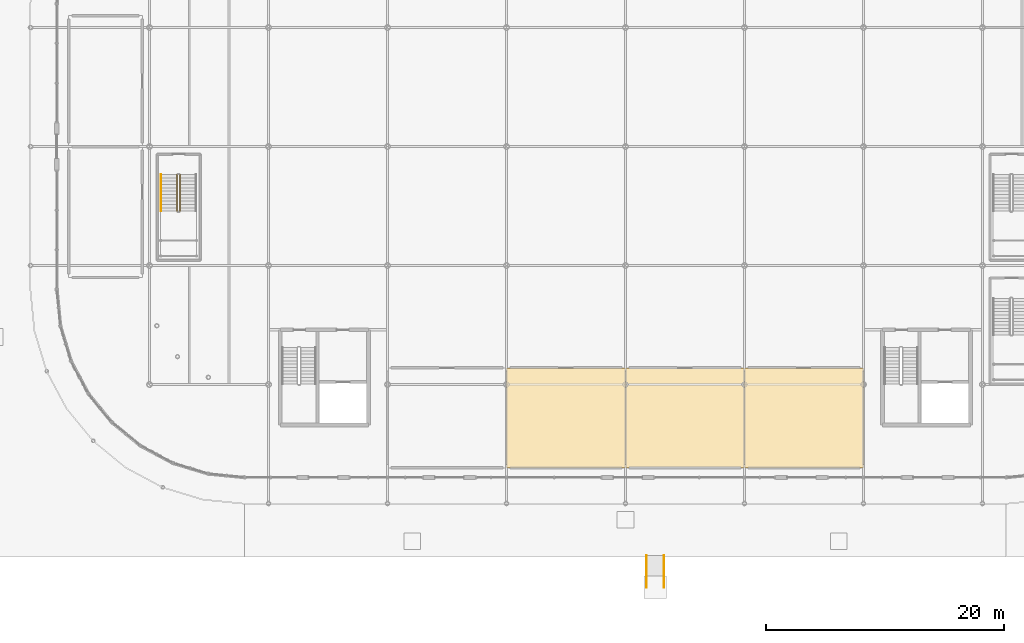
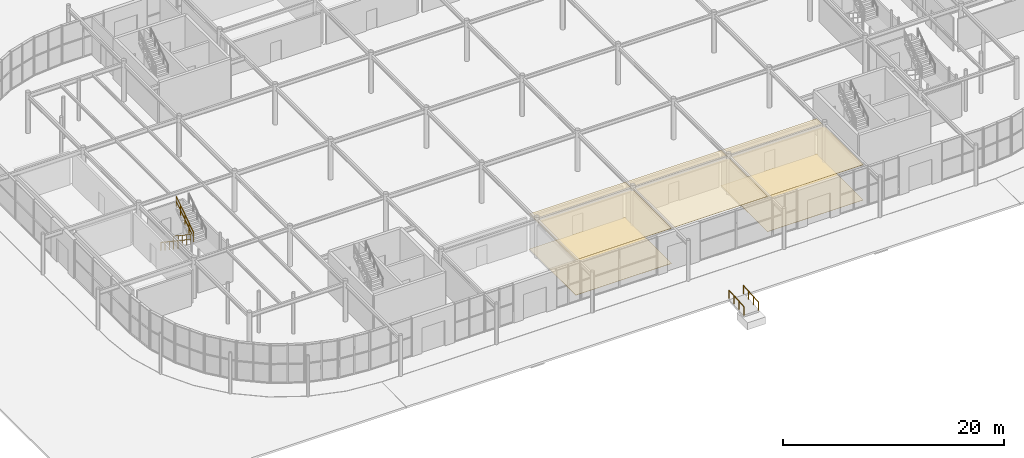
# One storey, part 106 of 119: 5 coverings, 5 railings.
"""IFC4 building model written with IfcOpenShell, lengths in metres."""

from ifc_helpers import new_model, si_unit, derived_unit, direction, frame, origin, origin_2d_with_axis, place, context, subcontext, project, spatial, polyline, circle, outline, extrude, material, layer, layer_set, type_object, element, save


model = new_model("IFC4")

# Units and contexts
model_context = context("Model", 3, precision=1e-05, world=origin(), true_north=direction((0.0, 1.0)))
body_context = subcontext(model_context, "Body", "Model", "MODEL_VIEW")
ifc_project = project(units=[si_unit("LENGTHUNIT", "METRE"), si_unit("AREAUNIT", "SQUARE_METRE"), si_unit("VOLUMEUNIT", "CUBIC_METRE"), si_unit("PLANEANGLEUNIT", "RADIAN"), si_unit("MASSUNIT", "GRAM", prefix="KILO"), derived_unit("THERMALTRANSMITTANCEUNIT", [(si_unit("POWERUNIT", "WATT"), 1), (si_unit("LENGTHUNIT", "METRE"), -2), (si_unit("THERMODYNAMICTEMPERATUREUNIT", "KELVIN"), -1)])], contexts=[model_context])

# Site, building, storey
site_placement = place(None, origin())
site = spatial("IfcSite", under=ifc_project, at=site_placement, CompositionType="ELEMENT")
building_placement = place(site_placement, origin())
building = spatial("IfcBuilding", under=site, at=building_placement, Name="Cinnabar Yard Market Hall", CompositionType="ELEMENT")
storey_placement = place(building_placement, origin())
storey = spatial("IfcBuildingStorey", under=building, at=storey_placement, Name="L00", CompositionType="ELEMENT", Elevation=0.0)

# Coverings
ifc_material_1 = material(Name="Perforated acoustic spotted-gum timber slats", Category="wood")
ifc_layer_1 = layer(ifc_material_1, 0.0400390625)
ifc_layer_set_1 = layer_set([ifc_layer_1], Name="Perforated acoustic spotted-gum timber slats")
covering_type_1 = type_object("IfcCoveringType", Name="COV-CLG1", PredefinedType="CEILING", material=ifc_layer_set_1)
covering_1_placement = place(storey_placement, frame((0.0, 0.0, 3.8798828125)))
element("IfcCovering", 1, at=covering_1_placement, inside=storey, type_object=covering_type_1, Name="Ceiling Orchard Fruit Stall 02", PredefinedType="CEILING", context=body_context, shape_type="SweptSolid", body=[
    extrude(outline(polyline([(106.0, 17.0), (116.0, 17.0), (116.0, 25.39990234375), (106.0, 25.39990234375), (106.0, 17.0)])), origin(), (0.0, 0.0, 1.0), 0.03515625),
])
covering_2_placement = place(storey_placement, frame((0.0, 0.0, 3.8798828125)))
element("IfcCovering", 2, at=covering_2_placement, inside=storey, type_object=covering_type_1, Name="Ceiling Artisan Bakery Stall 03", PredefinedType="CEILING", context=body_context, shape_type="SweptSolid", body=[
    extrude(outline(polyline([(116.0, 17.0), (126.0, 17.0), (126.0, 25.39990234375), (116.0, 25.39990234375), (116.0, 17.0)])), origin(), (0.0, 0.0, 1.0), 0.03515625),
])
covering_3_placement = place(storey_placement, frame((0.0, 0.0, 3.8798828125)))
element("IfcCovering", 3, at=covering_3_placement, inside=storey, type_object=covering_type_1, Name="Ceiling Butchery and Poultry Stall 04", PredefinedType="CEILING", context=body_context, shape_type="SweptSolid", body=[
    extrude(outline(polyline([(126.0, 17.0), (136.0, 17.0), (136.0, 25.39990234375), (126.0, 25.39990234375), (126.0, 17.0)])), origin(), (0.0, 0.0, 1.0), 0.03515625),
])
ifc_material_2 = material(Name="Slip-resistant commercial quarry tile")
ifc_layer_2 = layer(ifc_material_2, 0.02490234375)
ifc_layer_set_2 = layer_set([ifc_layer_2], Name="Slip-resistant commercial quarry tile")
covering_type_2 = type_object("IfcCoveringType", Name="COV-FLR2", PredefinedType="FLOORING", material=ifc_layer_set_2)
covering_4_placement = place(storey_placement, origin())
element("IfcCovering", 4, at=covering_4_placement, inside=storey, type_object=covering_type_2, Name="Flooring Orchard Fruit Stall 02", PredefinedType="FLOORING", context=body_context, shape_type="SweptSolid", body=[
    extrude(outline(polyline([(106.0, 17.0), (116.0, 17.0), (116.0, 25.39990234375), (106.0, 25.39990234375), (106.0, 17.0)])), origin(), (0.0, 0.0, 1.0), 0.02490234375),
])
covering_5_placement = place(storey_placement, origin())
element("IfcCovering", 5, at=covering_5_placement, inside=storey, type_object=covering_type_2, Name="Flooring Butchery and Poultry Stall 04", PredefinedType="FLOORING", context=body_context, shape_type="SweptSolid", body=[
    extrude(outline(polyline([(126.0, 17.0), (136.0, 17.0), (136.0, 25.39990234375), (126.0, 25.39990234375), (126.0, 17.0)])), origin(), (0.0, 0.0, 1.0), 0.02490234375),
])

# Railings
ifc_material_3 = material(Name="Laminated glass and bronze handrail", Category="glass")
ifc_layer_3 = layer(ifc_material_3, 0.070068359375)
ifc_layer_set_3 = layer_set([ifc_layer_3], Name="Laminated glass and bronze handrail")
railing_type_1 = type_object("IfcRailingType", Name="RL-G01", PredefinedType="BALUSTRADE", material=ifc_layer_set_3)
railing_1_placement = place(storey_placement, frame((78.300048828125, 41.64990234375, 0.1875)))
element("IfcRailing", 6, at=railing_1_placement, inside=storey, type_object=railing_type_1, Name="L00 ST-F1 stair guard 1", PredefinedType="BALUSTRADE", context=body_context, shape_type="SweptSolid", body=[
    extrude(circle(Radius=0.02392578125, at=origin_2d_with_axis()), frame((0.0, 0.0, 1.09619140625), z_axis=(0.0, -0.830893310487, 0.556431762742), x_axis=(1.0, 0.0, 0.0)), (0.0, 0.0, 1.0), 3.70654296875),
    extrude(circle(Radius=0.02392578125, at=origin_2d_with_axis()), frame((0.0, 0.0, 0.550048828125), z_axis=(0.0, -0.830893310487, 0.556431762742), x_axis=(1.0, 0.0, 0.0)), (0.0, 0.0, 1.0), 3.70654296875),
    extrude(circle(Radius=0.02099609375, at=origin_2d_with_axis()), origin(), (0.0, 0.0, 1.0), 1.072021484375),
    extrude(circle(Radius=0.02099609375, at=origin_2d_with_axis()), frame((0.0, -0.77001953125, 0.515625)), (0.0, 0.0, 1.0), 1.072021484375),
    extrude(circle(Radius=0.02099609375, at=origin_2d_with_axis()), frame((0.0, -1.5400390625, 1.03125)), (0.0, 0.0, 1.0), 1.072021484375),
    extrude(circle(Radius=0.02099609375, at=origin_2d_with_axis()), frame((0.0, -2.309814453125, 1.546875)), (0.0, 0.0, 1.0), 1.072021484375),
    extrude(circle(Radius=0.02099609375, at=origin_2d_with_axis()), frame((0.0, -3.079833984375, 2.0625)), (0.0, 0.0, 1.0), 1.072021484375),
])
railing_2_placement = place(storey_placement, frame((78.56005859375, 38.570068359375, 2.4375)))
element("IfcRailing", 7, at=railing_2_placement, inside=storey, type_object=railing_type_1, Name="L00 ST-F1 stair guard 3", PredefinedType="BALUSTRADE", context=body_context, shape_type="SweptSolid", body=[
    extrude(circle(Radius=0.02392578125, at=origin_2d_with_axis()), frame((0.0, 0.0, 1.09619140625), z_axis=(0.0, 0.830893310487, 0.556431762742), x_axis=(-1.0, 0.0, 0.0)), (0.0, 0.0, 1.0), 3.70654296875),
    extrude(circle(Radius=0.02392578125, at=origin_2d_with_axis()), frame((0.0, 0.0, 0.550048828125), z_axis=(0.0, 0.830893310487, 0.556431762742), x_axis=(-1.0, 0.0, 0.0)), (0.0, 0.0, 1.0), 3.70654296875),
    extrude(circle(Radius=0.02099609375, at=origin_2d_with_axis()), origin(), (0.0, 0.0, 1.0), 1.072021484375),
    extrude(circle(Radius=0.02099609375, at=origin_2d_with_axis()), frame((0.0, 0.77001953125, 0.515625)), (0.0, 0.0, 1.0), 1.072021484375),
    extrude(circle(Radius=0.02099609375, at=origin_2d_with_axis()), frame((0.0, 1.5400390625, 1.03125)), (0.0, 0.0, 1.0), 1.072021484375),
    extrude(circle(Radius=0.02099609375, at=origin_2d_with_axis()), frame((0.0, 2.309814453125, 1.546875)), (0.0, 0.0, 1.0), 1.072021484375),
    extrude(circle(Radius=0.02099609375, at=origin_2d_with_axis()), frame((0.0, 3.079833984375, 2.0625)), (0.0, 0.0, 1.0), 1.072021484375),
])
ifc_material_4 = material(Name="Brushed stainless steel handrail", Category="steel")
ifc_layer_4 = layer(ifc_material_4, 0.050048828125)
ifc_layer_set_4 = layer_set([ifc_layer_4], Name="Brushed stainless steel handrail")
railing_type_2 = type_object("IfcRailingType", Name="RL-HR1", PredefinedType="HANDRAIL", material=ifc_layer_set_4)
railing_3_placement = place(storey_placement, frame((76.949951171875, 41.64990234375, 0.1875)))
element("IfcRailing", 8, at=railing_3_placement, inside=storey, type_object=railing_type_2, Name="L00 ST-F1 stair handrail 1", PredefinedType="HANDRAIL", context=body_context, shape_type="SweptSolid", body=[
    extrude(circle(Radius=0.02392578125, at=origin_2d_with_axis()), frame((0.0, 0.0, 0.8759765625), z_axis=(0.0, -0.830893310487, 0.556431762742), x_axis=(1.0, 0.0, 0.0)), (0.0, 0.0, 1.0), 3.70654296875),
    extrude(circle(Radius=0.02099609375, at=origin_2d_with_axis()), origin(), (0.0, 0.0, 1.0), 0.851806640625),
    extrude(circle(Radius=0.02099609375, at=origin_2d_with_axis()), frame((0.0, -0.77001953125, 0.515625)), (0.0, 0.0, 1.0), 0.851806640625),
    extrude(circle(Radius=0.02099609375, at=origin_2d_with_axis()), frame((0.0, -1.5400390625, 1.03125)), (0.0, 0.0, 1.0), 0.851806640625),
    extrude(circle(Radius=0.02099609375, at=origin_2d_with_axis()), frame((0.0, -2.309814453125, 1.546875)), (0.0, 0.0, 1.0), 0.851806640625),
    extrude(circle(Radius=0.02099609375, at=origin_2d_with_axis()), frame((0.0, -3.079833984375, 2.0625)), (0.0, 0.0, 1.0), 0.851806640625),
])
ifc_material_5 = material(Name="Brushed stainless steel exterior handrail", Category="steel")
ifc_layer_5 = layer(ifc_material_5, 0.050048828125)
ifc_layer_set_5 = layer_set([ifc_layer_5], Name="Brushed stainless steel exterior handrail")
railing_type_3 = type_object("IfcRailingType", Name="RL-HRE", PredefinedType="HANDRAIL", material=ifc_layer_set_5)
for number, where, name in (
    (9, (117.757568359375, 6.949951171875, -0.179931640625), "Southern Plaza Step-Free Ramp Handrail L"),
    (10, (119.242431640625, 6.949951171875, -0.179931640625), "Southern Plaza Step-Free Ramp Handrail R"),
):
    element("IfcRailing", number, at=place(storey_placement, frame(where)), inside=storey, type_object=railing_type_3, Name=name, PredefinedType="HANDRAIL", context=body_context, shape_type="SweptSolid", body=[
        extrude(circle(Radius=0.02392578125, at=origin_2d_with_axis()), frame((0.0, 0.0, 0.89599609375), z_axis=(0.0, 0.997786754453, 0.066495057241), x_axis=(-1.0, 0.0, 0.0)), (0.0, 0.0, 1.0), 2.7060546875),
        extrude(circle(Radius=0.02099609375, at=origin_2d_with_axis()), origin(), (0.0, 0.0, 1.0), 0.871826171875),
        extrude(circle(Radius=0.02099609375, at=origin_2d_with_axis()), frame((0.0, 0.89990234375, 0.06005859375)), (0.0, 0.0, 1.0), 0.871826171875),
        extrude(circle(Radius=0.02099609375, at=origin_2d_with_axis()), frame((0.0, 1.800048828125, 0.119873046875)), (0.0, 0.0, 1.0), 0.871826171875),
        extrude(circle(Radius=0.02099609375, at=origin_2d_with_axis()), frame((0.0, 2.699951171875, 0.179931640625)), (0.0, 0.0, 1.0), 0.871826171875),
    ])

save(model, "model.ifc")
